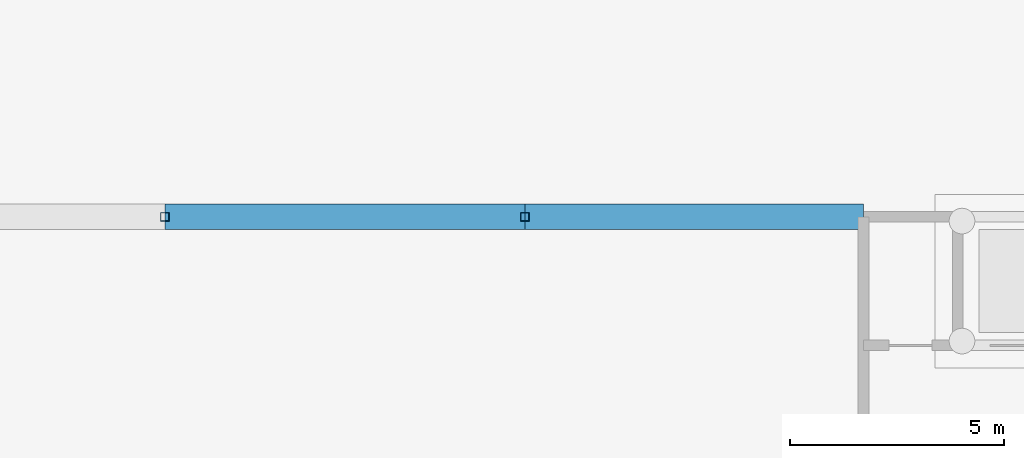
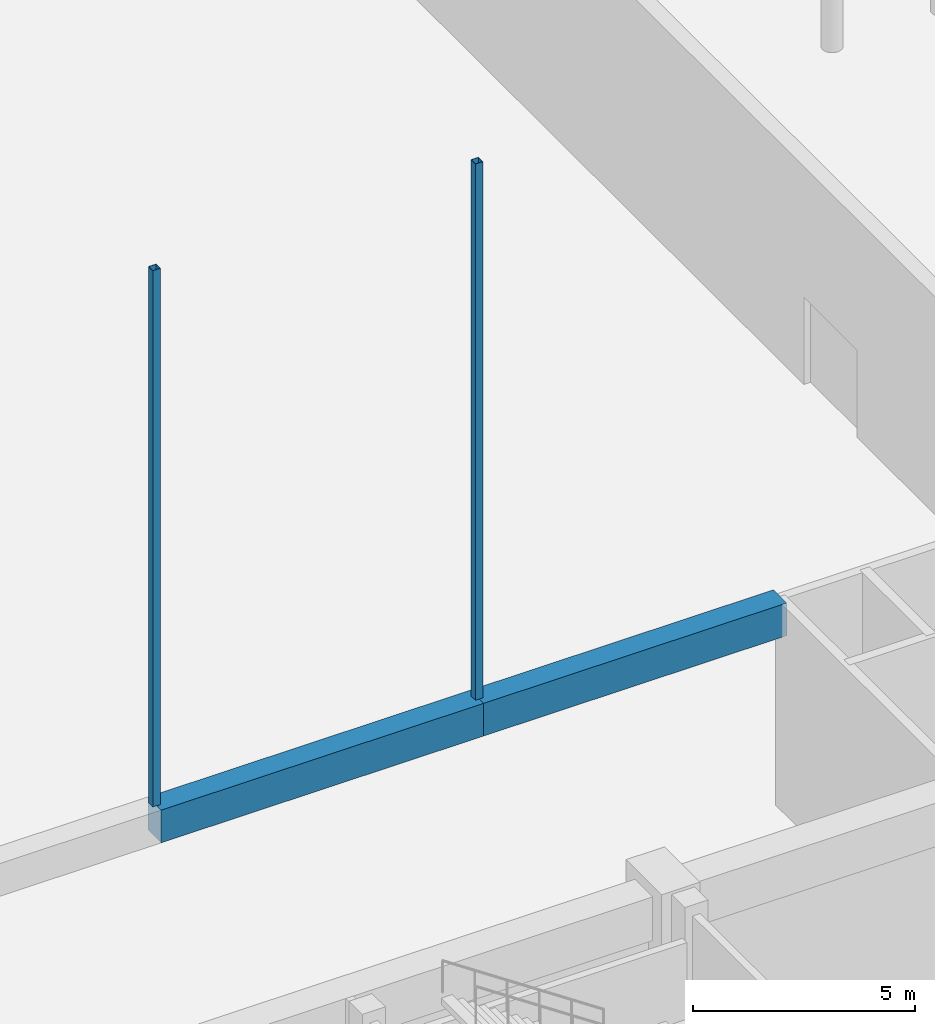
# One storey, part 41 of 210: 2 beams, 2 members.
"""IFC4 building model written with IfcOpenShell, lengths in metres."""

from ifc_helpers import new_model, si_unit, direction, frame, origin, origin_2d, place, context, subcontext, project, spatial, rectangle, hollow_rectangle, extrude, material, material_profile, profile_set, type_object, element, save


model = new_model("IFC4")

# Units and contexts
model_context = context("Model", 3, precision=1e-05, world=origin(), true_north=direction((0.0, 1.0)))
body_context = subcontext(model_context, "Body", "Model", "MODEL_VIEW")
ifc_project = project(units=[si_unit("LENGTHUNIT", "METRE"), si_unit("AREAUNIT", "SQUARE_METRE"), si_unit("VOLUMEUNIT", "CUBIC_METRE"), si_unit("PLANEANGLEUNIT", "RADIAN"), si_unit("MASSUNIT", "GRAM", prefix="KILO")], contexts=[model_context])

# Site, building, storey
site_placement = place(None, origin())
site = spatial("IfcSite", under=ifc_project, at=site_placement, CompositionType="ELEMENT")
building_placement = place(site_placement, origin())
building = spatial("IfcBuilding", under=site, at=building_placement, Name="Rain Tree Exposition and Congress Centre", CompositionType="ELEMENT")
storey_placement = place(building_placement, origin())
storey = spatial("IfcBuildingStorey", under=building, at=storey_placement, Name="L00", CompositionType="ELEMENT", Elevation=0.0)

# Beams
ifc_material_1 = material(Name="Precast concrete C50/60", Category="concrete")
ifc_material_profile_1 = material_profile(ifc_material_1, rectangle(XDim=0.60009765625, YDim=0.89990234375, at=origin_2d()), Name="RC 600x900")
ifc_profile_set_1 = profile_set([ifc_material_profile_1], Name="Precast concrete C50/60")
beam_type = type_object("IfcBeamType", Name="Precast beam 600x900", PredefinedType="BEAM", material=ifc_profile_set_1)
beam_1_placement = place(storey_placement, frame((100.800048828125, 109.199951171875, 5.25), z_axis=(1.0, 0.0, 0.0), x_axis=(0.0, 1.0, 0.0)))
element("IfcBeam", 1, at=beam_1_placement, inside=storey, type_object=beam_type, Name="Gallery edge beam 11", PredefinedType="BEAM", context=body_context, shape_type="SweptSolid", body=[
    extrude(rectangle(XDim=0.60009765625, YDim=0.89990234375, at=origin_2d()), origin(), (0.0, 0.0, 1.0), 8.39990234375),
])
beam_2_placement = place(storey_placement, frame((109.199951171875, 109.199951171875, 5.25), z_axis=(1.0, 0.0, 0.0), x_axis=(0.0, 1.0, 0.0)))
element("IfcBeam", 2, at=beam_2_placement, inside=storey, type_object=beam_type, Name="Gallery edge beam 12", PredefinedType="BEAM", context=body_context, shape_type="SweptSolid", body=[
    extrude(rectangle(XDim=0.60009765625, YDim=0.89990234375, at=origin_2d()), origin(), (0.0, 0.0, 1.0), 7.900146484375),
])

# Members
ifc_material_2 = material(Name="Steel S355J2H", Category="steel")
ifc_material_profile_2 = material_profile(ifc_material_2, hollow_rectangle(XDim=0.199951171875, YDim=0.199951171875, WallThickness=0.009033203125, at=origin_2d()), Name="RHS 200x200x9")
ifc_profile_set_2 = profile_set([ifc_material_profile_2], Name="Steel S355J2H")
member_type = type_object("IfcMemberType", Name="Steel member member RHS 200x200x9", PredefinedType="MEMBER", material=ifc_profile_set_2)
for number, where, z_axis, x_axis, name in (
    (3, (100.800048828125, 109.199951171875, 5.699951171875), (0.0, 0.0, 1.0), (1.0, 0.0, 0.0), "Gallery hanger 22"),
    (4, (109.199951171875, 109.199951171875, 5.699951171875), (0.0, 0.0, 1.0), (1.0, 0.0, 0.0), "Gallery hanger 23"),
):
    element("IfcMember", number, at=place(storey_placement, frame(where, z_axis=z_axis, x_axis=x_axis)), inside=storey, type_object=member_type, Name=name, PredefinedType="MEMBER", context=body_context, shape_type="SweptSolid", body=[
        extrude(hollow_rectangle(XDim=0.199951171875, YDim=0.199951171875, WallThickness=0.009033203125, at=origin_2d()), origin(), (0.0, 0.0, 1.0), 14.766845703125),
    ])

save(model, "model.ifc")
